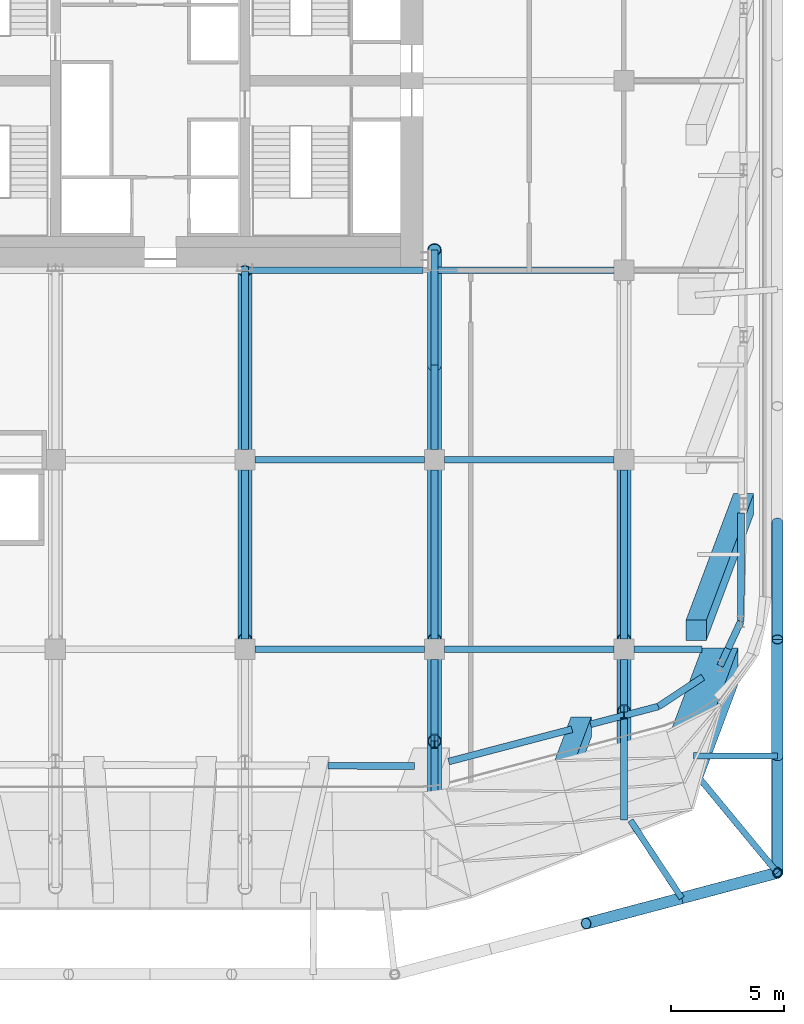
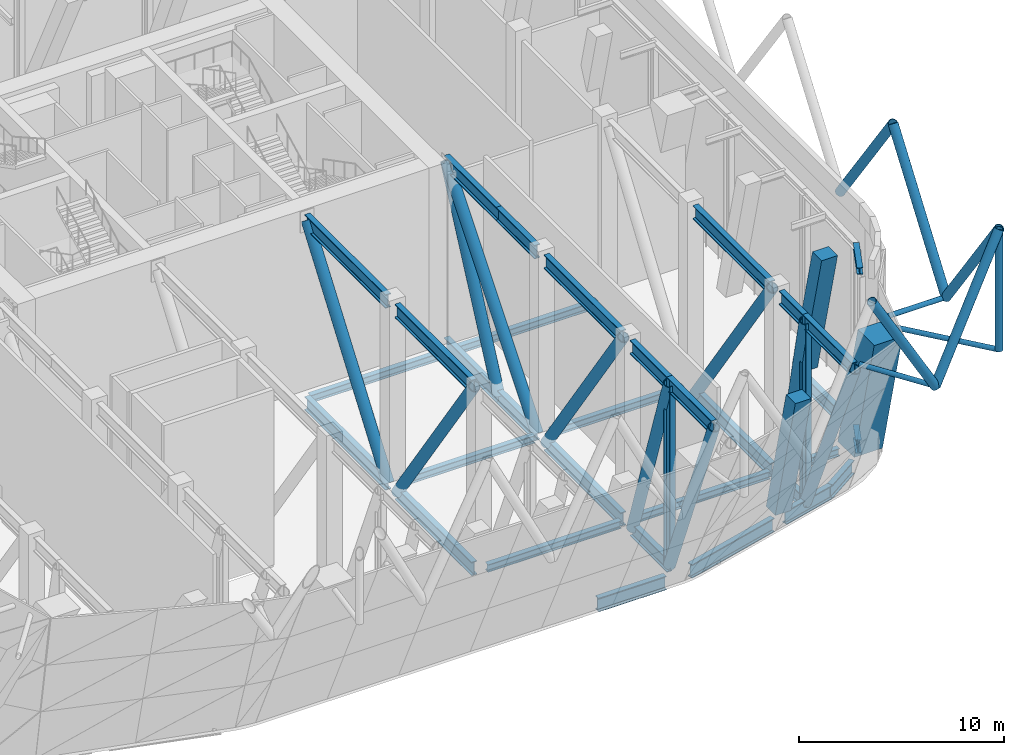
# One storey, part 5 of 20: 42 beams, 14 members.
"""IFC4 building model written with IfcOpenShell, lengths in metres."""

from ifc_helpers import new_model, si_unit, direction, frame, origin, origin_2d, place, context, subcontext, project, spatial, rectangle, hollow_circle, i_section, extrude, material, material_profile, profile_set, type_object, element, save


model = new_model("IFC4")

# Units and contexts
model_context = context("Model", 3, precision=1e-05, world=origin(), true_north=direction((0.0, 1.0)))
body_context = subcontext(model_context, "Body", "Model", "MODEL_VIEW")
ifc_project = project(units=[si_unit("LENGTHUNIT", "METRE"), si_unit("AREAUNIT", "SQUARE_METRE"), si_unit("VOLUMEUNIT", "CUBIC_METRE"), si_unit("PLANEANGLEUNIT", "RADIAN"), si_unit("MASSUNIT", "GRAM", prefix="KILO")], contexts=[model_context])

# Site, building, storey
site_placement = place(None, origin())
site = spatial("IfcSite", under=ifc_project, at=site_placement, CompositionType="ELEMENT")
building_placement = place(site_placement, origin())
building = spatial("IfcBuilding", under=site, at=building_placement, Name="Marenta Gate Hotel Tower", CompositionType="ELEMENT")
storey_placement = place(building_placement, frame((0.0, 0.0, 169.699951171875)))
storey = spatial("IfcBuildingStorey", under=building, at=storey_placement, Name="L40", CompositionType="ELEMENT", Elevation=169.699951171875)

# Members
ifc_material_1 = material(Name="Steel S355J2W", Category="steel")
ifc_material_profile_1 = material_profile(ifc_material_1, hollow_circle(Radius=0.203125, WallThickness=0.02490234375, at=origin_2d()), Name="CHS 406.4x25")
ifc_profile_set_1 = profile_set([ifc_material_profile_1], Name="Steel S355J2W")
member_type_1 = type_object("IfcMemberType", Name="Diagrid corner post Z3 CHS 406.4x25", PredefinedType="POST", material=ifc_profile_set_1)
member_1_placement = place(storey_placement, frame((27.800048828125, -26.7001953125, 10.340087890625), z_axis=(0.0, 0.0, 1.0), x_axis=(1.0, 0.0, 0.0)))
element("IfcMember", 1, at=member_1_placement, inside=storey, type_object=member_type_1, Name="L40-DR-2", PredefinedType="POST", context=body_context, shape_type="SweptSolid", body=[
    extrude(hollow_circle(Radius=0.203125, WallThickness=0.02490234375, at=origin_2d()), origin(), (0.0, 0.0, 1.0), 7.199951171875),
])
ifc_material_2 = material(Name="Steel S355J2W", Category="steel")
ifc_material_profile_2 = material_profile(ifc_material_2, hollow_circle(Radius=0.25390625, WallThickness=0.02490234375, at=origin_2d()), Name="CHS 508x25")
ifc_profile_set_2 = profile_set([ifc_material_profile_2], Name="Steel S355J2W")
member_type_2 = type_object("IfcMemberType", Name="Diagrid diagonal Z3 CHS 508x25", PredefinedType="BRACE", material=ifc_profile_set_2)
for number, where, z_axis, x_axis, name in (
    (2, (27.800048828125, -11.190185546875, 10.340087890625), (0.0, -0.583260841117, 0.812284919975), (1.0, 0.0, 0.0), "L40-DG-8"),
    (3, (27.800048828125, -21.530029296875, 10.340087890625), (0.0, 0.583260841117, 0.812284919975), (-1.0, 0.0, 0.0), "L40-DG-9"),
):
    element("IfcMember", number, at=place(storey_placement, frame(where, z_axis=z_axis, x_axis=x_axis)), inside=storey, type_object=member_type_2, Name=name, PredefinedType="BRACE", context=body_context, shape_type="SweptSolid", body=[
        extrude(hollow_circle(Radius=0.25390625, WallThickness=0.02490234375, at=origin_2d()), origin(), (0.0, 0.0, 1.0), 8.86376953125),
    ])
member_2_placement = place(storey_placement, frame((27.800048828125, -21.530029296875, 10.340087890625), z_axis=(0.0, -0.583279014058, 0.812271870595), x_axis=(1.0, 0.0, 0.0)))
element("IfcMember", 4, at=member_2_placement, inside=storey, type_object=member_type_2, Name="L40-DG-10", PredefinedType="BRACE", context=body_context, shape_type="SweptSolid", body=[
    extrude(hollow_circle(Radius=0.25390625, WallThickness=0.02490234375, at=origin_2d()), origin(), (0.0, 0.0, 1.0), 8.864013671875),
])
for number, where, z_axis, x_axis, name in (
    (5, (23.559814453125, -27.8251953125, 10.340087890625), (0.502924018666, 0.133433548941, 0.853968921838), (-0.256443187528, 0.96655930577, 0.0), "L40-DG-11"),
    (6, (23.559814453125, -27.8251953125, 10.340087890625), (-0.502924018666, -0.133433548941, 0.853968921838), (0.256443187528, -0.96655930577, 0.0), "L40-DG-12"),
):
    element("IfcMember", number, at=place(storey_placement, frame(where, z_axis=z_axis, x_axis=x_axis)), inside=storey, type_object=member_type_2, Name=name, PredefinedType="BRACE", context=body_context, shape_type="SweptSolid", body=[
        extrude(hollow_circle(Radius=0.25390625, WallThickness=0.02490234375, at=origin_2d()), origin(), (0.0, 0.0, 1.0), 8.43115234375),
    ])

# Beams
ifc_material_3 = material(Name="Steel S355", Category="steel")
ifc_material_profile_3 = material_profile(ifc_material_3, i_section(OverallWidth=0.302978515625, OverallDepth=0.81396484375, WebThickness=0.030029296875, FlangeThickness=0.052001953125, FilletRadius=0.030029296875, at=origin_2d()), Name="HEM 800")
ifc_profile_set_3 = profile_set([ifc_material_profile_3], Name="Steel S355")
beam_type_1 = type_object("IfcBeamType", Name="Edge beam HEM 800", PredefinedType="SPANDREL", material=ifc_profile_set_3)
beam_1_placement = place(storey_placement, frame((26.191162109375, -10.761962890625, -0.70703125), z_axis=(-0.003353298899, -0.999994377677, 0.0), x_axis=(0.999994377677, -0.003353298899, 0.0)))
element("IfcBeam", 7, at=beam_1_placement, inside=storey, type_object=beam_type_1, Name="L40-EB-27", PredefinedType="SPANDREL", context=body_context, shape_type="SweptSolid", body=[
    extrude(i_section(OverallWidth=0.302978515625, OverallDepth=0.81396484375, WebThickness=0.030029296875, FlangeThickness=0.052001953125, FilletRadius=0.030029296875, at=origin_2d()), origin(), (0.0, 0.0, 1.0), 4.80517578125),
])
beam_2_placement = place(storey_placement, frame((26.175048828125, -15.567138671875, -0.70703125), z_axis=(-0.423207780269, -0.906032656541, 0.0), x_axis=(0.906032656541, -0.423207780269, 0.0)))
element("IfcBeam", 8, at=beam_2_placement, inside=storey, type_object=beam_type_1, Name="L40-EB-28", PredefinedType="SPANDREL", context=body_context, shape_type="SweptSolid", body=[
    extrude(i_section(OverallWidth=0.302978515625, OverallDepth=0.81396484375, WebThickness=0.030029296875, FlangeThickness=0.052001953125, FilletRadius=0.030029296875, at=origin_2d()), origin(), (0.0, 0.0, 1.0), 1.326904296875),
])
beam_3_placement = place(storey_placement, frame((24.496337890625, -18.0322265625, -0.70703125), z_axis=(-0.834496060599, -0.551013906217, 0.0), x_axis=(0.551013906217, -0.834496060599, 0.0)))
element("IfcBeam", 9, at=beam_3_placement, inside=storey, type_object=beam_type_1, Name="L40-EB-29", PredefinedType="SPANDREL", context=body_context, shape_type="SweptSolid", body=[
    extrude(i_section(OverallWidth=0.302978515625, OverallDepth=0.81396484375, WebThickness=0.030029296875, FlangeThickness=0.052001953125, FilletRadius=0.030029296875, at=origin_2d()), origin(), (0.0, 0.0, 1.0), 2.357177734375),
])
beam_4_placement = place(storey_placement, frame((22.529296875, -19.3310546875, -0.70703125), z_axis=(-0.967224706208, -0.25392197168, 0.0), x_axis=(0.25392197168, -0.967224706208, 0.0)))
element("IfcBeam", 10, at=beam_4_placement, inside=storey, type_object=beam_type_1, Name="L40-EB-30", PredefinedType="SPANDREL", context=body_context, shape_type="SweptSolid", body=[
    extrude(i_section(OverallWidth=0.302978515625, OverallDepth=0.81396484375, WebThickness=0.030029296875, FlangeThickness=0.052001953125, FilletRadius=0.030029296875, at=origin_2d()), origin(), (0.0, 0.0, 1.0), 3.11328125),
])
beam_5_placement = place(storey_placement, frame((18.695556640625, -20.33740234375, -0.70703125), z_axis=(-0.96723321901, -0.253889542999, 0.0), x_axis=(0.253889542999, -0.96723321901, 0.0)))
element("IfcBeam", 11, at=beam_5_placement, inside=storey, type_object=beam_type_1, Name="L40-EB-31", PredefinedType="SPANDREL", context=body_context, shape_type="SweptSolid", body=[
    extrude(i_section(OverallWidth=0.302978515625, OverallDepth=0.81396484375, WebThickness=0.030029296875, FlangeThickness=0.052001953125, FilletRadius=0.030029296875, at=origin_2d()), origin(), (0.0, 0.0, 1.0), 5.6533203125),
])
beam_6_placement = place(storey_placement, frame((11.706298828125, -21.97021484375, -0.70703125), z_axis=(-0.999994883969, 0.003198755307, 0.0), x_axis=(-0.003198755307, -0.999994883969, 0.0)))
element("IfcBeam", 12, at=beam_6_placement, inside=storey, type_object=beam_type_1, Name="L40-EB-32", PredefinedType="SPANDREL", context=body_context, shape_type="SweptSolid", body=[
    extrude(i_section(OverallWidth=0.302978515625, OverallDepth=0.81396484375, WebThickness=0.030029296875, FlangeThickness=0.052001953125, FilletRadius=0.030029296875, at=origin_2d()), origin(), (0.0, 0.0, 1.0), 3.816162109375),
])

# Members
ifc_material_4 = material(Name="Concrete C70", Category="concrete")
ifc_material_profile_4 = material_profile(ifc_material_4, rectangle(XDim=0.89990234375, YDim=0.89990234375, at=origin_2d()), Name="900 x 900")
ifc_profile_set_4 = profile_set([ifc_material_profile_4], Name="Concrete C70")
member_type_3 = type_object("IfcMemberType", Name="Edge column raked 900 x 900 C70", PredefinedType="STRUT", material=ifc_profile_set_4)
member_3_placement = place(storey_placement, frame((26.300048828125, -10.351806640625, 0.0), z_axis=(0.0, 0.0, 1.0), x_axis=(1.0, 0.0, 0.0)))
element("IfcMember", 13, at=member_3_placement, inside=storey, type_object=member_type_3, Name="L40-EC-E-SE-2", PredefinedType="STRUT", context=body_context, shape_type="SweptSolid", body=[
    extrude(rectangle(XDim=0.89990234375, YDim=0.89990234375, at=origin_2d()), origin(), (-0.170109713578, -0.45361271914, 0.874813229427), 12.345458984375),
])
member_4_placement = place(storey_placement, frame((19.106689453125, -20.239013671875, 0.0), z_axis=(0.0, 0.0, 1.0), x_axis=(1.0, 0.0, 0.0)))
element("IfcMember", 14, at=member_4_placement, inside=storey, type_object=member_type_3, Name="L40-EC-SE-SKE-1", PredefinedType="STRUT", context=body_context, shape_type="SweptSolid", body=[
    extrude(rectangle(XDim=0.89990234375, YDim=0.89990234375, at=origin_2d()), origin(), (-0.170090510133, -0.453614245022, 0.874816172162), 12.345458984375),
])
ifc_material_5 = material(Name="Steel S355J2W", Category="steel")
ifc_material_profile_5 = material_profile(ifc_material_5, hollow_circle(Radius=0.136474609375, WallThickness=0.012451171875, at=origin_2d()), Name="CHS 273x12.5")
ifc_profile_set_5 = profile_set([ifc_material_profile_5], Name="Steel S355J2W")
member_type_4 = type_object("IfcMemberType", Name="Floor tie CHS 273x12.5", PredefinedType="STRUT", material=ifc_profile_set_5)
member_5_placement = place(storey_placement, frame((27.800048828125, -21.530029296875, 10.340087890625), z_axis=(-0.999994589725, 0.003289455887, 0.0), x_axis=(-0.003289455887, -0.999994589725, 0.0)))
element("IfcMember", 15, at=member_5_placement, inside=storey, type_object=member_type_4, Name="L40-DR-10", PredefinedType="STRUT", context=body_context, shape_type="SweptSolid", body=[
    extrude(hollow_circle(Radius=0.136474609375, WallThickness=0.012451171875, at=origin_2d()), origin(), (0.0, 0.0, 1.0), 3.7109375),
])
member_6_placement = place(storey_placement, frame((27.800048828125, -26.7001953125, 10.340087890625), z_axis=(-0.636513673172, 0.771265417262, 0.0), x_axis=(-0.771265417262, -0.636513673172, 0.0)))
element("IfcMember", 16, at=member_6_placement, inside=storey, type_object=member_type_4, Name="L40-DR-11", PredefinedType="STRUT", context=body_context, shape_type="SweptSolid", body=[
    extrude(hollow_circle(Radius=0.136474609375, WallThickness=0.012451171875, at=origin_2d()), origin(), (0.0, 0.0, 1.0), 5.833984375),
])
member_7_placement = place(storey_placement, frame((23.559814453125, -27.8251953125, 10.340087890625), z_axis=(-0.550965885132, 0.834527766716, 0.0), x_axis=(-0.834527766716, -0.550965885132, 0.0)))
element("IfcMember", 17, at=member_7_placement, inside=storey, type_object=member_type_4, Name="L40-DR-12", PredefinedType="STRUT", context=body_context, shape_type="SweptSolid", body=[
    extrude(hollow_circle(Radius=0.136474609375, WallThickness=0.012451171875, at=origin_2d()), origin(), (0.0, 0.0, 1.0), 4.125),
])

# Beams
ifc_material_6 = material(Name="Steel S355", Category="steel")
ifc_material_profile_6 = material_profile(ifc_material_6, i_section(OverallWidth=0.300048828125, OverallDepth=0.449951171875, WebThickness=0.013916015625, FlangeThickness=0.02587890625, FilletRadius=0.027099609375, at=origin_2d()), Name="HEB 450")
ifc_profile_set_6 = profile_set([ifc_material_profile_6], Name="Steel S355")
beam_type_2 = type_object("IfcBeamType", Name="Girder HEB 450", PredefinedType="BEAM", material=ifc_profile_set_6)
for number, where, z_axis, x_axis, name in (
    (18, (4.64990234375, -16.800048828125, -0.52490234375), (1.0, 0.0, 0.0), (0.0, 1.0, 0.0), "L40-GD-5"),
    (19, (13.050048828125, -16.800048828125, -0.52490234375), (1.0, 0.0, 0.0), (0.0, 1.0, 0.0), "L40-GD-6"),
):
    element("IfcBeam", number, at=place(storey_placement, frame(where, z_axis=z_axis, x_axis=x_axis)), inside=storey, type_object=beam_type_2, Name=name, PredefinedType="BEAM", context=body_context, shape_type="SweptSolid", body=[
        extrude(i_section(OverallWidth=0.300048828125, OverallDepth=0.449951171875, WebThickness=0.013916015625, FlangeThickness=0.02587890625, FilletRadius=0.027099609375, at=origin_2d()), origin(), (0.0, 0.0, 1.0), 7.5),
    ])
beam_7_placement = place(storey_placement, frame((21.449951171875, -16.800048828125, -0.52490234375), z_axis=(1.0, 0.0, 0.0), x_axis=(0.0, 1.0, 0.0)))
element("IfcBeam", 20, at=beam_7_placement, inside=storey, type_object=beam_type_2, Name="L40-GD-7", PredefinedType="BEAM", context=body_context, shape_type="SweptSolid", body=[
    extrude(i_section(OverallWidth=0.300048828125, OverallDepth=0.449951171875, WebThickness=0.013916015625, FlangeThickness=0.02587890625, FilletRadius=0.027099609375, at=origin_2d()), origin(), (0.0, 0.0, 1.0), 3.012939453125),
])
for number, where, z_axis, x_axis, name in (
    (21, (4.64990234375, -8.39990234375, -0.52490234375), (1.0, 0.0, 0.0), (0.0, 1.0, 0.0), "L40-GD-12"),
    (22, (13.050048828125, -8.39990234375, -0.52490234375), (1.0, 0.0, 0.0), (0.0, 1.0, 0.0), "L40-GD-13"),
):
    element("IfcBeam", number, at=place(storey_placement, frame(where, z_axis=z_axis, x_axis=x_axis)), inside=storey, type_object=beam_type_2, Name=name, PredefinedType="BEAM", context=body_context, shape_type="SweptSolid", body=[
        extrude(i_section(OverallWidth=0.300048828125, OverallDepth=0.449951171875, WebThickness=0.013916015625, FlangeThickness=0.02587890625, FilletRadius=0.027099609375, at=origin_2d()), origin(), (0.0, 0.0, 1.0), 7.5),
    ])
beam_8_placement = place(storey_placement, frame((4.3515625, 0.0, -0.52490234375), z_axis=(1.0, 0.0, 0.0), x_axis=(0.0, 1.0, 0.0)))
element("IfcBeam", 23, at=beam_8_placement, inside=storey, type_object=beam_type_2, Name="L40-GD-19", PredefinedType="BEAM", context=body_context, shape_type="SweptSolid", body=[
    extrude(i_section(OverallWidth=0.300048828125, OverallDepth=0.449951171875, WebThickness=0.013916015625, FlangeThickness=0.02587890625, FilletRadius=0.027099609375, at=origin_2d()), origin(), (0.0, 0.0, 1.0), 7.74853515625),
])
beam_9_placement = place(storey_placement, frame((12.75146484375, 0.0, -0.52490234375), z_axis=(1.0, 0.0, 0.0), x_axis=(0.0, 1.0, 0.0)))
element("IfcBeam", 24, at=beam_9_placement, inside=storey, type_object=beam_type_2, Name="L40-GD-20", PredefinedType="BEAM", context=body_context, shape_type="SweptSolid", body=[
    extrude(i_section(OverallWidth=0.300048828125, OverallDepth=0.449951171875, WebThickness=0.013916015625, FlangeThickness=0.02587890625, FilletRadius=0.027099609375, at=origin_2d()), origin(), (0.0, 0.0, 1.0), 7.798583984375),
])

# Member
ifc_material_7 = material(Name="Concrete C70", Category="concrete")
ifc_material_profile_7 = material_profile(ifc_material_7, rectangle(XDim=1.60009765625, YDim=1.60009765625, at=origin_2d()), Name="1600 x 1600")
ifc_profile_set_7 = profile_set([ifc_material_profile_7], Name="Concrete C70")
member_type_5 = type_object("IfcMemberType", Name="Mega column raked 1600 x 1600 C70", PredefinedType="STRUT", material=ifc_profile_set_7)
member_8_placement = place(storey_placement, frame((25.262939453125, -17.532958984375, 0.0), z_axis=(0.0, 0.0, 1.0), x_axis=(1.0, 0.0, 0.0)))
element("IfcMember", 25, at=member_8_placement, inside=storey, type_object=member_type_5, Name="L40-MC-SE", PredefinedType="STRUT", context=body_context, shape_type="SweptSolid", body=[
    extrude(rectangle(XDim=1.60009765625, YDim=1.60009765625, at=origin_2d()), origin(), (-0.170090510133, -0.453614245022, 0.874816172162), 12.345458984375),
])

# Beams
ifc_material_8 = material(Name="Steel S355", Category="steel")
ifc_material_profile_8 = material_profile(ifc_material_8, i_section(OverallWidth=0.302978515625, OverallDepth=0.81396484375, WebThickness=0.030029296875, FlangeThickness=0.052001953125, FilletRadius=0.030029296875, at=origin_2d()), Name="HEM 800")
ifc_profile_set_8 = profile_set([ifc_material_profile_8], Name="Steel S355")
beam_type_3 = type_object("IfcBeamType", Name="Outrigger truss chord HEM 800", PredefinedType="BEAM", material=ifc_profile_set_8)
beam_10_placement = place(storey_placement, frame((4.199951171875, -0.050048828125, -0.70703125), z_axis=(0.0, -1.0, 0.0), x_axis=(1.0, 0.0, 0.0)))
element("IfcBeam", 26, at=beam_10_placement, inside=storey, type_object=beam_type_3, Name="TC-HEM800 Outrigger truss T2-7 chord", PredefinedType="BEAM", context=body_context, shape_type="SweptSolid", body=[
    extrude(i_section(OverallWidth=0.302978515625, OverallDepth=0.81396484375, WebThickness=0.030029296875, FlangeThickness=0.052001953125, FilletRadius=0.030029296875, at=origin_2d()), origin(), (0.0, 0.0, 1.0), 7.89990234375),
])
beam_11_placement = place(storey_placement, frame((4.199951171875, -8.85009765625, -0.70703125), z_axis=(0.0, -1.0, 0.0), x_axis=(1.0, 0.0, 0.0)))
element("IfcBeam", 27, at=beam_11_placement, inside=storey, type_object=beam_type_3, Name="TC-HEM800 Outrigger truss T2-7 chord", PredefinedType="BEAM", context=body_context, shape_type="SweptSolid", body=[
    extrude(i_section(OverallWidth=0.302978515625, OverallDepth=0.81396484375, WebThickness=0.030029296875, FlangeThickness=0.052001953125, FilletRadius=0.030029296875, at=origin_2d()), origin(), (0.0, 0.0, 1.0), 7.5),
])
beam_12_placement = place(storey_placement, frame((4.199951171875, -0.050048828125, 10.133056640625), z_axis=(0.0, -1.0, 0.0), x_axis=(1.0, 0.0, 0.0)))
element("IfcBeam", 28, at=beam_12_placement, inside=storey, type_object=beam_type_3, Name="TC-HEM800 Outrigger truss T2-7 chord", PredefinedType="BEAM", context=body_context, shape_type="SweptSolid", body=[
    extrude(i_section(OverallWidth=0.302978515625, OverallDepth=0.81396484375, WebThickness=0.030029296875, FlangeThickness=0.052001953125, FilletRadius=0.030029296875, at=origin_2d()), origin(), (0.0, 0.0, 1.0), 7.89990234375),
])
beam_13_placement = place(storey_placement, frame((4.199951171875, -8.85009765625, 10.133056640625), z_axis=(0.0, -1.0, 0.0), x_axis=(1.0, 0.0, 0.0)))
element("IfcBeam", 29, at=beam_13_placement, inside=storey, type_object=beam_type_3, Name="TC-HEM800 Outrigger truss T2-7 chord", PredefinedType="BEAM", context=body_context, shape_type="SweptSolid", body=[
    extrude(i_section(OverallWidth=0.302978515625, OverallDepth=0.81396484375, WebThickness=0.030029296875, FlangeThickness=0.052001953125, FilletRadius=0.030029296875, at=origin_2d()), origin(), (0.0, 0.0, 1.0), 7.5),
])
beam_14_placement = place(storey_placement, frame((12.60009765625, 0.89990234375, -0.70703125), z_axis=(0.0, -1.0, 0.0), x_axis=(1.0, 0.0, 0.0)))
element("IfcBeam", 30, at=beam_14_placement, inside=storey, type_object=beam_type_3, Name="TC-HEM800 Outrigger truss T2-8 chord", PredefinedType="BEAM", context=body_context, shape_type="SweptSolid", body=[
    extrude(i_section(OverallWidth=0.302978515625, OverallDepth=0.81396484375, WebThickness=0.030029296875, FlangeThickness=0.052001953125, FilletRadius=0.030029296875, at=origin_2d()), origin(), (0.0, 0.0, 1.0), 5.099853515625),
])
beam_15_placement = place(storey_placement, frame((12.60009765625, -4.199951171875, -0.70703125), z_axis=(0.0, -1.0, 0.0), x_axis=(1.0, 0.0, 0.0)))
element("IfcBeam", 31, at=beam_15_placement, inside=storey, type_object=beam_type_3, Name="TC-HEM800 Outrigger truss T2-8 chord", PredefinedType="BEAM", context=body_context, shape_type="SweptSolid", body=[
    extrude(i_section(OverallWidth=0.302978515625, OverallDepth=0.81396484375, WebThickness=0.030029296875, FlangeThickness=0.052001953125, FilletRadius=0.030029296875, at=origin_2d()), origin(), (0.0, 0.0, 1.0), 3.75),
])
beam_16_placement = place(storey_placement, frame((12.60009765625, -8.85009765625, -0.70703125), z_axis=(0.0, -1.0, 0.0), x_axis=(1.0, 0.0, 0.0)))
element("IfcBeam", 32, at=beam_16_placement, inside=storey, type_object=beam_type_3, Name="TC-HEM800 Outrigger truss T2-8 chord", PredefinedType="BEAM", context=body_context, shape_type="SweptSolid", body=[
    extrude(i_section(OverallWidth=0.302978515625, OverallDepth=0.81396484375, WebThickness=0.030029296875, FlangeThickness=0.052001953125, FilletRadius=0.030029296875, at=origin_2d()), origin(), (0.0, 0.0, 1.0), 7.5),
])
beam_17_placement = place(storey_placement, frame((12.60009765625, -17.25, -0.70703125), z_axis=(0.0, -1.0, 0.0), x_axis=(1.0, 0.0, 0.0)))
element("IfcBeam", 33, at=beam_17_placement, inside=storey, type_object=beam_type_3, Name="TC-HEM800 Outrigger truss T2-8 chord", PredefinedType="BEAM", context=body_context, shape_type="SweptSolid", body=[
    extrude(i_section(OverallWidth=0.302978515625, OverallDepth=0.81396484375, WebThickness=0.030029296875, FlangeThickness=0.052001953125, FilletRadius=0.030029296875, at=origin_2d()), origin(), (0.0, 0.0, 1.0), 3.6142578125),
])
beam_18_placement = place(storey_placement, frame((12.60009765625, 0.89990234375, 10.133056640625), z_axis=(0.0, -1.0, 0.0), x_axis=(1.0, 0.0, 0.0)))
element("IfcBeam", 34, at=beam_18_placement, inside=storey, type_object=beam_type_3, Name="TC-HEM800 Outrigger truss T2-8 chord", PredefinedType="BEAM", context=body_context, shape_type="SweptSolid", body=[
    extrude(i_section(OverallWidth=0.302978515625, OverallDepth=0.81396484375, WebThickness=0.030029296875, FlangeThickness=0.052001953125, FilletRadius=0.030029296875, at=origin_2d()), origin(), (0.0, 0.0, 1.0), 5.099853515625),
])
beam_19_placement = place(storey_placement, frame((12.60009765625, -4.199951171875, 10.133056640625), z_axis=(0.0, -1.0, 0.0), x_axis=(1.0, 0.0, 0.0)))
element("IfcBeam", 35, at=beam_19_placement, inside=storey, type_object=beam_type_3, Name="TC-HEM800 Outrigger truss T2-8 chord", PredefinedType="BEAM", context=body_context, shape_type="SweptSolid", body=[
    extrude(i_section(OverallWidth=0.302978515625, OverallDepth=0.81396484375, WebThickness=0.030029296875, FlangeThickness=0.052001953125, FilletRadius=0.030029296875, at=origin_2d()), origin(), (0.0, 0.0, 1.0), 3.75),
])
beam_20_placement = place(storey_placement, frame((12.60009765625, -8.85009765625, 10.133056640625), z_axis=(0.0, -1.0, 0.0), x_axis=(1.0, 0.0, 0.0)))
element("IfcBeam", 36, at=beam_20_placement, inside=storey, type_object=beam_type_3, Name="TC-HEM800 Outrigger truss T2-8 chord", PredefinedType="BEAM", context=body_context, shape_type="SweptSolid", body=[
    extrude(i_section(OverallWidth=0.302978515625, OverallDepth=0.81396484375, WebThickness=0.030029296875, FlangeThickness=0.052001953125, FilletRadius=0.030029296875, at=origin_2d()), origin(), (0.0, 0.0, 1.0), 7.5),
])
beam_21_placement = place(storey_placement, frame((12.60009765625, -17.25, 10.133056640625), z_axis=(0.0, -1.0, 0.0), x_axis=(1.0, 0.0, 0.0)))
element("IfcBeam", 37, at=beam_21_placement, inside=storey, type_object=beam_type_3, Name="TC-HEM800 Outrigger truss T2-8 chord", PredefinedType="BEAM", context=body_context, shape_type="SweptSolid", body=[
    extrude(i_section(OverallWidth=0.302978515625, OverallDepth=0.81396484375, WebThickness=0.030029296875, FlangeThickness=0.052001953125, FilletRadius=0.030029296875, at=origin_2d()), origin(), (0.0, 0.0, 1.0), 3.6142578125),
])
beam_22_placement = place(storey_placement, frame((12.60009765625, -20.8642578125, 10.133056640625), z_axis=(0.0, -1.0, 0.0), x_axis=(1.0, 0.0, 0.0)))
element("IfcBeam", 38, at=beam_22_placement, inside=storey, type_object=beam_type_3, Name="TC-HEM800 Outrigger truss T2-8 chord", PredefinedType="BEAM", context=body_context, shape_type="SweptSolid", body=[
    extrude(i_section(OverallWidth=0.302978515625, OverallDepth=0.81396484375, WebThickness=0.030029296875, FlangeThickness=0.052001953125, FilletRadius=0.030029296875, at=origin_2d()), origin(), (0.0, 0.0, 1.0), 4.335693359375),
])
beam_23_placement = place(storey_placement, frame((21.0, -8.85009765625, -0.70703125), z_axis=(0.0, -1.0, 0.0), x_axis=(1.0, 0.0, 0.0)))
element("IfcBeam", 39, at=beam_23_placement, inside=storey, type_object=beam_type_3, Name="TC-HEM800 Outrigger truss T2-9 chord", PredefinedType="BEAM", context=body_context, shape_type="SweptSolid", body=[
    extrude(i_section(OverallWidth=0.302978515625, OverallDepth=0.81396484375, WebThickness=0.030029296875, FlangeThickness=0.052001953125, FilletRadius=0.030029296875, at=origin_2d()), origin(), (0.0, 0.0, 1.0), 7.5),
])
beam_24_placement = place(storey_placement, frame((21.0, -17.25, -0.70703125), z_axis=(0.0, -1.0, 0.0), x_axis=(1.0, 0.0, 0.0)))
element("IfcBeam", 40, at=beam_24_placement, inside=storey, type_object=beam_type_3, Name="TC-HEM800 Outrigger truss T2-9 chord", PredefinedType="BEAM", context=body_context, shape_type="SweptSolid", body=[
    extrude(i_section(OverallWidth=0.302978515625, OverallDepth=0.81396484375, WebThickness=0.030029296875, FlangeThickness=0.052001953125, FilletRadius=0.030029296875, at=origin_2d()), origin(), (0.0, 0.0, 1.0), 2.325927734375),
])
beam_25_placement = place(storey_placement, frame((21.0, -8.85009765625, 10.133056640625), z_axis=(0.0, -1.0, 0.0), x_axis=(1.0, 0.0, 0.0)))
element("IfcBeam", 41, at=beam_25_placement, inside=storey, type_object=beam_type_3, Name="TC-HEM800 Outrigger truss T2-9 chord", PredefinedType="BEAM", context=body_context, shape_type="SweptSolid", body=[
    extrude(i_section(OverallWidth=0.302978515625, OverallDepth=0.81396484375, WebThickness=0.030029296875, FlangeThickness=0.052001953125, FilletRadius=0.030029296875, at=origin_2d()), origin(), (0.0, 0.0, 1.0), 7.5),
])
beam_26_placement = place(storey_placement, frame((21.0, -17.25, 10.133056640625), z_axis=(0.0, -1.0, 0.0), x_axis=(1.0, 0.0, 0.0)))
element("IfcBeam", 42, at=beam_26_placement, inside=storey, type_object=beam_type_3, Name="TC-HEM800 Outrigger truss T2-9 chord", PredefinedType="BEAM", context=body_context, shape_type="SweptSolid", body=[
    extrude(i_section(OverallWidth=0.302978515625, OverallDepth=0.81396484375, WebThickness=0.030029296875, FlangeThickness=0.052001953125, FilletRadius=0.030029296875, at=origin_2d()), origin(), (0.0, 0.0, 1.0), 2.325927734375),
])
beam_27_placement = place(storey_placement, frame((21.0, -19.575927734375, 10.133056640625), z_axis=(0.0, -1.0, 0.0), x_axis=(1.0, 0.0, 0.0)))
element("IfcBeam", 43, at=beam_27_placement, inside=storey, type_object=beam_type_3, Name="TC-HEM800 Outrigger truss T2-9 chord", PredefinedType="BEAM", context=body_context, shape_type="SweptSolid", body=[
    extrude(i_section(OverallWidth=0.302978515625, OverallDepth=0.81396484375, WebThickness=0.030029296875, FlangeThickness=0.052001953125, FilletRadius=0.030029296875, at=origin_2d()), origin(), (0.0, 0.0, 1.0), 4.796875),
])
ifc_material_9 = material(Name="Steel S355", Category="steel")
ifc_material_profile_9 = material_profile(ifc_material_9, hollow_circle(Radius=0.304931640625, WallThickness=0.0400390625, at=origin_2d()), Name="CHS 610x40")
ifc_profile_set_9 = profile_set([ifc_material_profile_9], Name="Steel S355")
beam_type_4 = type_object("IfcBeamType", Name="Outrigger truss diagonal CHS 610x40", PredefinedType="BEAM", material=ifc_profile_set_9)
beam_28_placement = place(storey_placement, frame((4.199951171875, -0.0322265625, 10.1572265625), z_axis=(0.0, -0.588971563007, -0.808153758866), x_axis=(1.0, 0.0, 0.0)))
element("IfcBeam", 44, at=beam_28_placement, inside=storey, type_object=beam_type_4, Name="Outrigger truss T2-7 diagonal", PredefinedType="BEAM", context=body_context, shape_type="SweptSolid", body=[
    extrude(hollow_circle(Radius=0.304931640625, WallThickness=0.0400390625, at=origin_2d()), origin(), (0.0, 0.0, 1.0), 13.443359375),
])
beam_29_placement = place(storey_placement, frame((4.199951171875, -8.85009765625, -0.70703125), z_axis=(0.0, -0.568970142593, 0.82235818038), x_axis=(1.0, 0.0, 0.0)))
element("IfcBeam", 45, at=beam_29_placement, inside=storey, type_object=beam_type_4, Name="Outrigger truss T2-7 diagonal", PredefinedType="BEAM", context=body_context, shape_type="SweptSolid", body=[
    extrude(hollow_circle(Radius=0.304931640625, WallThickness=0.0400390625, at=origin_2d()), origin(), (0.0, 0.0, 1.0), 13.181640625),
])
beam_30_placement = place(storey_placement, frame((12.60009765625, 0.9189453125, 10.15625), z_axis=(0.0, -0.632415505905, -0.774629348715), x_axis=(1.0, 0.0, 0.0)))
element("IfcBeam", 46, at=beam_30_placement, inside=storey, type_object=beam_type_4, Name="Outrigger truss T2-8 diagonal", PredefinedType="BEAM", context=body_context, shape_type="SweptSolid", body=[
    extrude(hollow_circle(Radius=0.304931640625, WallThickness=0.0400390625, at=origin_2d()), origin(), (0.0, 0.0, 1.0), 14.02392578125),
])
beam_31_placement = place(storey_placement, frame((12.60009765625, -8.85009765625, -0.70703125), z_axis=(0.0, -0.568970142593, 0.82235818038), x_axis=(1.0, 0.0, 0.0)))
element("IfcBeam", 47, at=beam_31_placement, inside=storey, type_object=beam_type_4, Name="Outrigger truss T2-8 diagonal", PredefinedType="BEAM", context=body_context, shape_type="SweptSolid", body=[
    extrude(hollow_circle(Radius=0.304931640625, WallThickness=0.0400390625, at=origin_2d()), origin(), (0.0, 0.0, 1.0), 13.181640625),
])
beam_32_placement = place(storey_placement, frame((12.60009765625, -17.25, -0.70703125), z_axis=(0.0, -0.316298272054, 0.948659793127), x_axis=(1.0, 0.0, 0.0)))
element("IfcBeam", 48, at=beam_32_placement, inside=storey, type_object=beam_type_4, Name="Outrigger truss T2-8 diagonal", PredefinedType="BEAM", context=body_context, shape_type="SweptSolid", body=[
    extrude(hollow_circle(Radius=0.304931640625, WallThickness=0.0400390625, at=origin_2d()), origin(), (0.0, 0.0, 1.0), 11.4267578125),
])
beam_33_placement = place(storey_placement, frame((12.60009765625, -20.8642578125, -0.70703125), z_axis=(0.0, -0.371365438328, 0.928486785698), x_axis=(1.0, 0.0, 0.0)))
element("IfcBeam", 49, at=beam_33_placement, inside=storey, type_object=beam_type_4, Name="Outrigger truss T2-8 diagonal", PredefinedType="BEAM", context=body_context, shape_type="SweptSolid", body=[
    extrude(hollow_circle(Radius=0.304931640625, WallThickness=0.0400390625, at=origin_2d()), origin(), (0.0, 0.0, 1.0), 11.675048828125),
])
beam_34_placement = place(storey_placement, frame((12.60009765625, -4.199951171875, -0.70703125), z_axis=(0.0, 0.425716757742, 0.90485647601), x_axis=(-1.0, 0.0, 0.0)))
element("IfcBeam", 50, at=beam_34_placement, inside=storey, type_object=beam_type_4, Name="Outrigger truss T2-8 diagonal", PredefinedType="BEAM", context=body_context, shape_type="SweptSolid", body=[
    extrude(hollow_circle(Radius=0.304931640625, WallThickness=0.0400390625, at=origin_2d()), origin(), (0.0, 0.0, 1.0), 12.009765625),
])
beam_35_placement = place(storey_placement, frame((21.0, -8.85009765625, -0.70703125), z_axis=(0.0, -0.568970142593, 0.82235818038), x_axis=(1.0, 0.0, 0.0)))
element("IfcBeam", 51, at=beam_35_placement, inside=storey, type_object=beam_type_4, Name="Outrigger truss T2-9 diagonal", PredefinedType="BEAM", context=body_context, shape_type="SweptSolid", body=[
    extrude(hollow_circle(Radius=0.304931640625, WallThickness=0.0400390625, at=origin_2d()), origin(), (0.0, 0.0, 1.0), 13.181640625),
])
beam_36_placement = place(storey_placement, frame((21.0, -17.25, -0.70703125), z_axis=(0.0, -0.209792256675, 0.977745983903), x_axis=(1.0, 0.0, 0.0)))
element("IfcBeam", 52, at=beam_36_placement, inside=storey, type_object=beam_type_4, Name="Outrigger truss T2-9 diagonal", PredefinedType="BEAM", context=body_context, shape_type="SweptSolid", body=[
    extrude(hollow_circle(Radius=0.304931640625, WallThickness=0.0400390625, at=origin_2d()), origin(), (0.0, 0.0, 1.0), 11.0869140625),
])
beam_37_placement = place(storey_placement, frame((21.0, -19.575927734375, -0.70703125), z_axis=(0.0, -0.40466269607, 0.914466020369), x_axis=(1.0, 0.0, 0.0)))
element("IfcBeam", 53, at=beam_37_placement, inside=storey, type_object=beam_type_4, Name="Outrigger truss T2-9 diagonal", PredefinedType="BEAM", context=body_context, shape_type="SweptSolid", body=[
    extrude(hollow_circle(Radius=0.304931640625, WallThickness=0.0400390625, at=origin_2d()), origin(), (0.0, 0.0, 1.0), 11.85400390625),
])

# Members
ifc_material_10 = material(Name="Steel S355", Category="steel")
ifc_material_profile_10 = material_profile(ifc_material_10, i_section(OverallWidth=0.304931640625, OverallDepth=0.6201171875, WebThickness=0.02490234375, FlangeThickness=0.0439453125, FilletRadius=0.027099609375, at=origin_2d()), Name="HEM 600")
ifc_profile_set_10 = profile_set([ifc_material_profile_10], Name="Steel S355")
member_type_6 = type_object("IfcMemberType", Name="Outrigger truss post HEM 600", PredefinedType="POST", material=ifc_profile_set_10)
for number, where, z_axis, x_axis, name in (
    (54, (12.60009765625, -20.8642578125, -0.70703125), (0.0, 0.0, 1.0), (1.0, 0.0, 0.0), "TR-HEM600 Outrigger truss T2-8 post"),
    (55, (21.0, -19.575927734375, -0.70703125), (0.0, 0.0, 1.0), (1.0, 0.0, 0.0), "TR-HEM600 Outrigger truss T2-9 post"),
):
    element("IfcMember", number, at=place(storey_placement, frame(where, z_axis=z_axis, x_axis=x_axis)), inside=storey, type_object=member_type_6, Name=name, PredefinedType="POST", context=body_context, shape_type="SweptSolid", body=[
        extrude(i_section(OverallWidth=0.304931640625, OverallDepth=0.6201171875, WebThickness=0.02490234375, FlangeThickness=0.0439453125, FilletRadius=0.027099609375, at=origin_2d()), origin(), (0.0, 0.0, 1.0), 10.840087890625),
    ])

# Beam
ifc_material_11 = material(Name="Steel S355", Category="steel")
ifc_material_profile_11 = material_profile(ifc_material_11, i_section(OverallWidth=0.300048828125, OverallDepth=0.39990234375, WebThickness=0.013427734375, FlangeThickness=0.02392578125, FilletRadius=0.027099609375, at=origin_2d()), Name="HEB 400")
ifc_profile_set_11 = profile_set([ifc_material_profile_11], Name="Steel S355")
beam_type_5 = type_object("IfcBeamType", Name="Terrace edge beam HEB 400", PredefinedType="SPANDREL", material=ifc_profile_set_11)
beam_38_placement = place(storey_placement, frame((26.175048828125, -15.567138671875, 10.340087890625), z_axis=(-0.423292723631, -0.905992974653, 0.0), x_axis=(0.905992974653, -0.423292723631, 0.0)))
element("IfcBeam", 56, at=beam_38_placement, inside=storey, type_object=beam_type_5, Name="L40-TE-23", PredefinedType="SPANDREL", context=body_context, shape_type="SweptSolid", body=[
    extrude(i_section(OverallWidth=0.300048828125, OverallDepth=0.39990234375, WebThickness=0.013427734375, FlangeThickness=0.02392578125, FilletRadius=0.027099609375, at=origin_2d()), origin(), (0.0, 0.0, 1.0), 2.165771484375),
])

save(model, "model.ifc")
